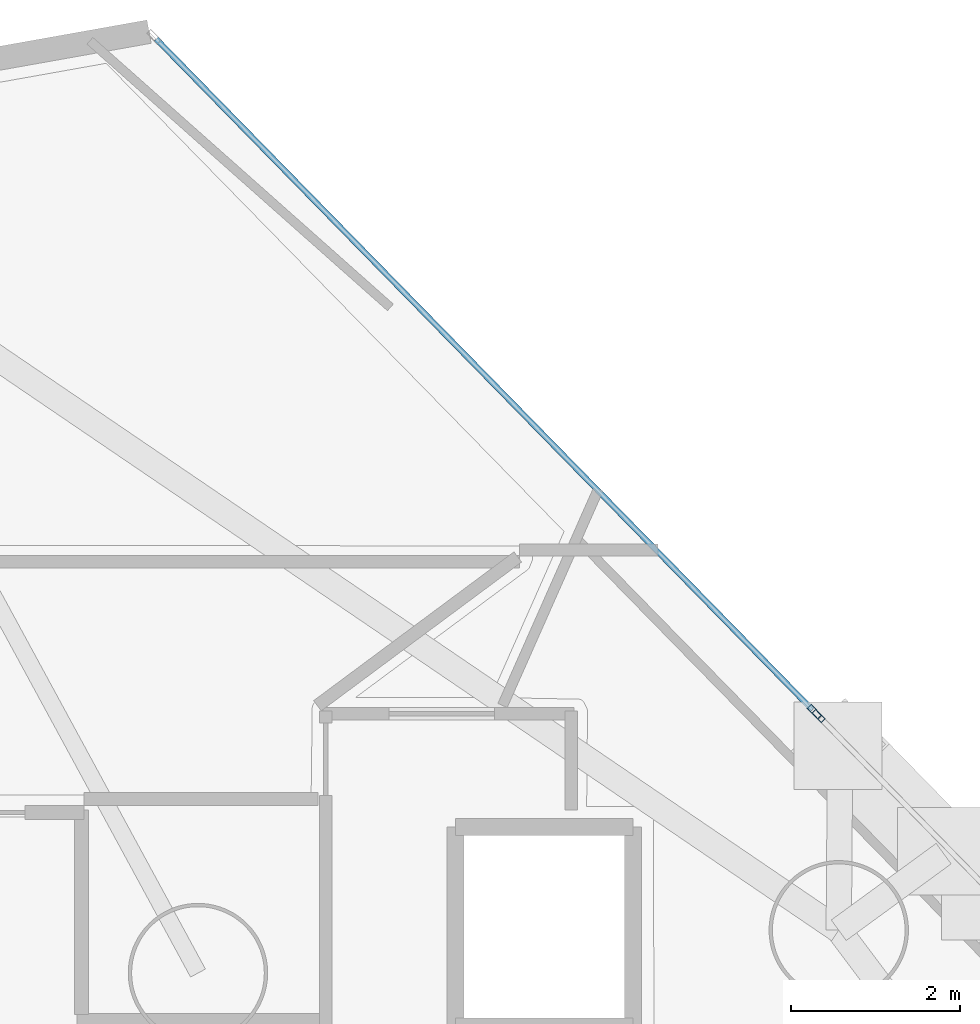
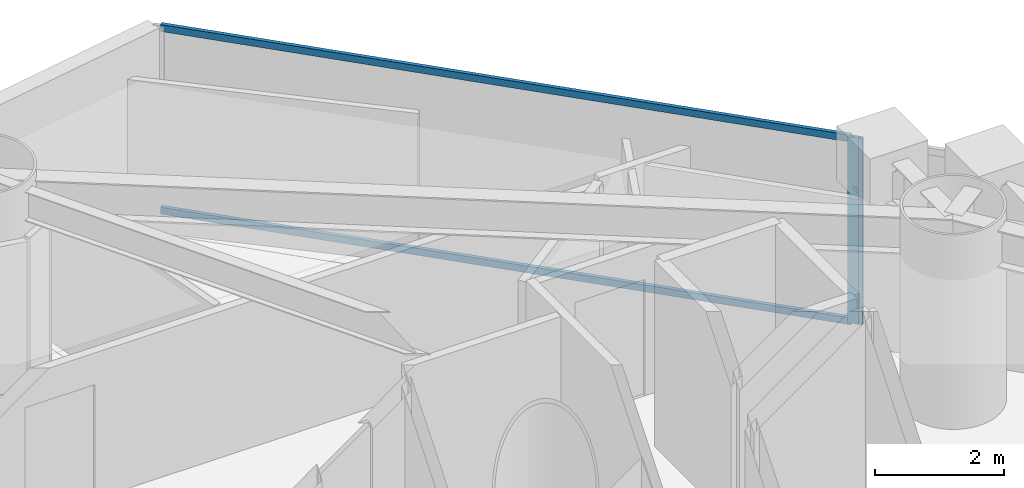
# One storey, part 10 of 23: 4 members, 2 elements without a shape of their own.
"""IFC4 building model written with IfcOpenShell, lengths in metres."""

from ifc_helpers import new_model, si_unit, direction, frame, origin, origin_2d, place, context, subcontext, project, spatial, hollow_rectangle, extrude, material, layer, layer_set, material_profile, profile_set, type_object, element, aggregate, save


model = new_model("IFC4")

# Units and contexts
model_context = context("Model", 3, precision=1e-05, world=origin(), true_north=direction((0.0, 1.0)))
body_context = subcontext(model_context, "Body", "Model", "MODEL_VIEW")
ifc_project = project(units=[si_unit("LENGTHUNIT", "METRE"), si_unit("AREAUNIT", "SQUARE_METRE"), si_unit("VOLUMEUNIT", "CUBIC_METRE"), si_unit("PLANEANGLEUNIT", "RADIAN"), si_unit("MASSUNIT", "GRAM", prefix="KILO")], contexts=[model_context])

# Site, building, storey
site_placement = place(None, origin())
site = spatial("IfcSite", under=ifc_project, at=site_placement, CompositionType="ELEMENT")
building_placement = place(site_placement, origin())
building = spatial("IfcBuilding", under=site, at=building_placement, Name="Qianvela Tower", CompositionType="ELEMENT")
storey_placement = place(building_placement, frame((0.0, 0.0, 56.199951171875)))
storey = spatial("IfcBuildingStorey", under=building, at=storey_placement, Name="L13", CompositionType="ELEMENT", Elevation=56.199951171875)

# Curtain wall, member
ifc_material_1 = material(Name="Anodised Architectural Aluminium and Insulated Spandrel Panel", Category="aluminium")
ifc_layer_1 = layer(ifc_material_1, 0.179931640625)
ifc_layer_set_1 = layer_set([ifc_layer_1], Name="Anodised Architectural Aluminium and Insulated Spandrel Panel")
curtain_wall_type_1 = type_object("IfcCurtainWallType", Name="CW-BRACEBAY", PredefinedType="USERDEFINED", material=ifc_layer_set_1)
curtain_wall_1_placement = place(storey_placement, origin())
curtain_wall_1 = element("IfcCurtainWall", 1, at=curtain_wall_1_placement, inside=storey, type_object=curtain_wall_type_1, Name="L13 CW-BRACEBAY Curtain Wall 02B", ObjectType="CURTAIN_WALL_SYSTEM", PredefinedType="USERDEFINED")
ifc_material_2 = material(Name="Anodised Architectural Aluminium 6063-T6", Category="aluminium")
ifc_material_profile_1 = material_profile(ifc_material_2, hollow_rectangle(XDim=0.06494140625, YDim=0.159912109375, WallThickness=0.0048828125, at=origin_2d()), Name="ALU-MULL-65x160")
ifc_profile_set_1 = profile_set([ifc_material_profile_1], Name="Anodised Architectural Aluminium 6063-T6")
member_type_1 = type_object("IfcMemberType", Name="CW-BRACEBAY-MULL", PredefinedType="MULLION", material=ifc_profile_set_1)
member_1_placement = place(storey_placement, frame((45.742919921875, 36.59326171875, 0.0), z_axis=(0.0, 0.0, 1.0), x_axis=(-0.714881450227, -0.699245673652, 0.0)))
member_1 = element("IfcMember", 2, at=member_1_placement, type_object=member_type_1, Name="CW-9 mullion 2", PredefinedType="MULLION", context=body_context, shape_type="SweptSolid", body=[
    extrude(hollow_rectangle(XDim=0.06494140625, YDim=0.159912109375, WallThickness=0.0048828125, at=origin_2d()), origin(), (0.0, 0.0, 1.0), 3.52001953125),
])
aggregate(curtain_wall_1, [member_1])

# Curtain wall, members
ifc_material_3 = material(Name="Anodised Architectural Aluminium and Low-E Glass", Category="aluminium")
ifc_layer_2 = layer(ifc_material_3, 0.179931640625)
ifc_layer_set_2 = layer_set([ifc_layer_2], Name="Anodised Architectural Aluminium and Low-E Glass")
curtain_wall_type_2 = type_object("IfcCurtainWallType", Name="CW-COLIV-Z12", PredefinedType="USERDEFINED", material=ifc_layer_set_2)
curtain_wall_2_placement = place(storey_placement, origin())
curtain_wall_2 = element("IfcCurtainWall", 3, at=curtain_wall_2_placement, inside=storey, type_object=curtain_wall_type_2, Name="L13 CW-COLIV-Z12 Curtain Wall 02C", ObjectType="CURTAIN_WALL_SYSTEM", PredefinedType="USERDEFINED")
ifc_material_4 = material(Name="Anodised Architectural Aluminium 6063-T6", Category="aluminium")
ifc_material_profile_2 = material_profile(ifc_material_4, hollow_rectangle(XDim=0.070068359375, YDim=0.179931640625, WallThickness=0.0048828125, at=origin_2d()), Name="ALU-MULL-70x180")
ifc_profile_set_2 = profile_set([ifc_material_profile_2], Name="Anodised Architectural Aluminium 6063-T6")
member_type_2 = type_object("IfcMemberType", Name="CW-COLIV-Z12-MULL", PredefinedType="MULLION", material=ifc_profile_set_2)
member_2_placement = place(storey_placement, frame((45.695556640625, 36.6416015625, 0.0), z_axis=(0.0, 0.0, 1.0), x_axis=(-0.714878952463, -0.69924822726, 0.0)))
member_2 = element("IfcMember", 4, at=member_2_placement, type_object=member_type_2, Name="CW-3 mullion 1", PredefinedType="MULLION", context=body_context, shape_type="SweptSolid", body=[
    extrude(hollow_rectangle(XDim=0.070068359375, YDim=0.179931640625, WallThickness=0.0048828125, at=origin_2d()), origin(), (0.0, 0.0, 1.0), 3.52001953125),
])
ifc_material_5 = material(Name="Anodised Architectural Aluminium 6063-T6", Category="aluminium")
ifc_material_profile_3 = material_profile(ifc_material_5, hollow_rectangle(XDim=0.06494140625, YDim=0.1298828125, WallThickness=0.00439453125, at=origin_2d()), Name="ALU-TRAN-65x130")
ifc_profile_set_3 = profile_set([ifc_material_profile_3], Name="Anodised Architectural Aluminium 6063-T6")
member_type_3 = type_object("IfcMemberType", Name="CW-COLIV-Z12-TRAN", PredefinedType="USERDEFINED", material=ifc_profile_set_3)
member_3_placement = place(storey_placement, frame((45.671142578125, 36.66650390625, 0.032470703125), z_axis=(-0.699249470836, 0.714877736075, 0.0), x_axis=(-0.714877736075, -0.699249470836, 0.0)))
member_3 = element("IfcMember", 5, at=member_3_placement, type_object=member_type_3, Name="CW-3 transom 1.1", ObjectType="TRANSOM", PredefinedType="USERDEFINED", context=body_context, shape_type="SweptSolid", body=[
    extrude(hollow_rectangle(XDim=0.06494140625, YDim=0.1298828125, WallThickness=0.00439453125, at=origin_2d()), origin(), (0.0, 0.0, 1.0), 11.10693359375),
])
member_4_placement = place(storey_placement, frame((45.671142578125, 36.66650390625, 3.487548828125), z_axis=(-0.699249470836, 0.714877736075, 0.0), x_axis=(-0.714877736075, -0.699249470836, 0.0)))
member_4 = element("IfcMember", 6, at=member_4_placement, type_object=member_type_3, Name="CW-3 transom 1.2", ObjectType="TRANSOM", PredefinedType="USERDEFINED", context=body_context, shape_type="SweptSolid", body=[
    extrude(hollow_rectangle(XDim=0.06494140625, YDim=0.1298828125, WallThickness=0.00439453125, at=origin_2d()), origin(), (0.0, 0.0, 1.0), 11.10693359375),
])
aggregate(curtain_wall_2, [member_2, member_3, member_4])

save(model, "model.ifc")
